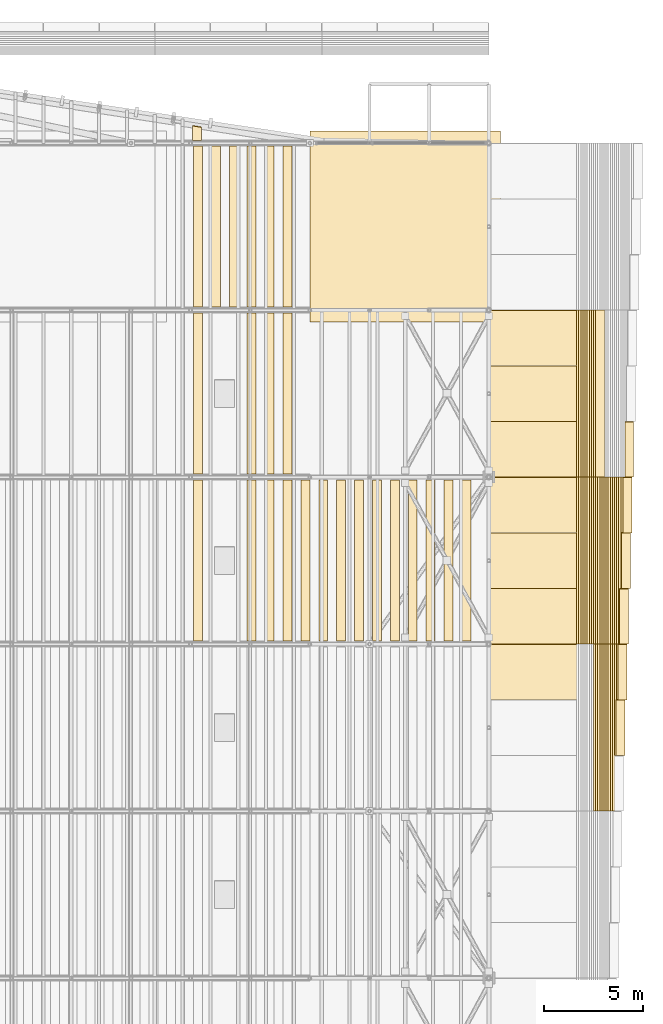
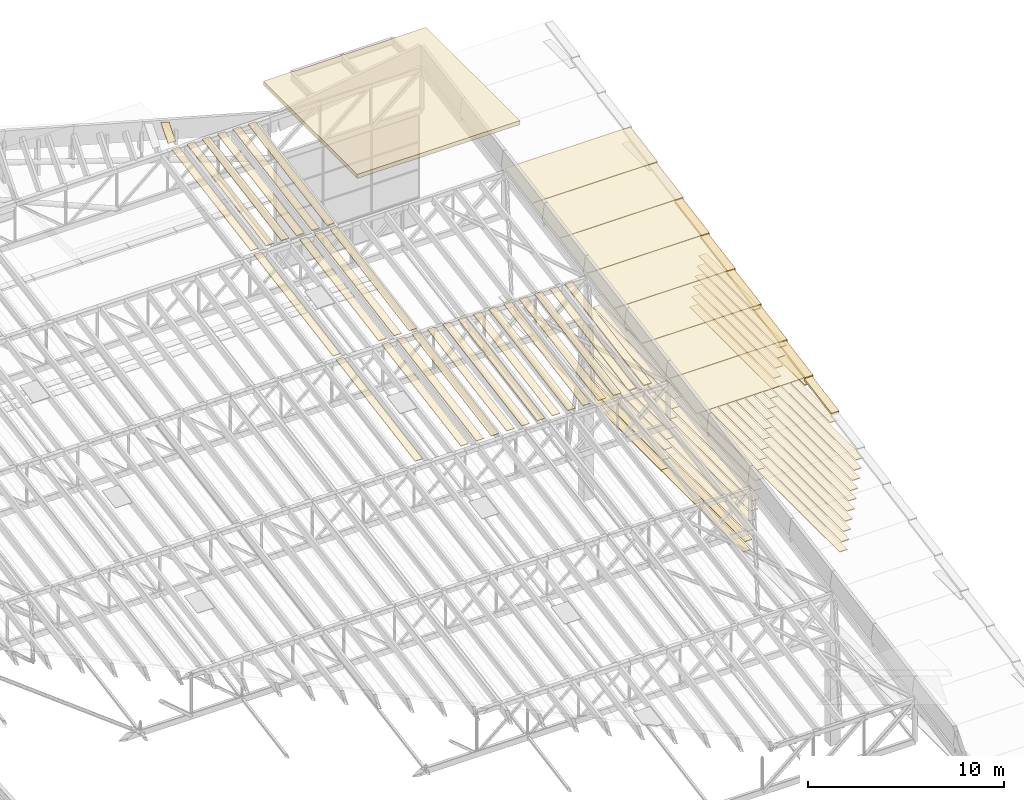
# One storey, part 89 of 91: 83 coverings.
"""IFC4 building model written with IfcOpenShell, lengths in metres."""

from ifc_helpers import new_model, si_unit, direction, frame, origin, origin_2d, place, context, subcontext, project, spatial, polyline, rectangle, outline, extrude, material, layer, layer_set, material_profile, profile_set, type_object, element, save


model = new_model("IFC4")

# Units and contexts
model_context = context("Model", 3, precision=1e-05, world=origin(), true_north=direction((0.0, 1.0)))
body_context = subcontext(model_context, "Body", "Model", "MODEL_VIEW")
ifc_project = project(units=[si_unit("LENGTHUNIT", "METRE"), si_unit("AREAUNIT", "SQUARE_METRE"), si_unit("VOLUMEUNIT", "CUBIC_METRE"), si_unit("PLANEANGLEUNIT", "RADIAN"), si_unit("MASSUNIT", "GRAM", prefix="KILO")], contexts=[model_context])

# Site, building, storey
site_placement = place(None, origin())
site = spatial("IfcSite", under=ifc_project, at=site_placement, CompositionType="ELEMENT")
building_placement = place(site_placement, origin())
building = spatial("IfcBuilding", under=site, at=building_placement, Name="Almond Square Museum", CompositionType="ELEMENT")
storey_placement = place(building_placement, frame((0.0, 0.0, 30.0)))
storey = spatial("IfcBuildingStorey", under=building, at=storey_placement, Name="L05", CompositionType="ELEMENT", Elevation=30.0)

# Coverings
ifc_material_1 = material(Name="Cedar timber roof board", Category="wood")
ifc_layer_1 = layer(ifc_material_1, 0.0400390625)
ifc_layer_set_1 = layer_set([ifc_layer_1], Name="Cedar timber roof board")
covering_type_1 = type_object("IfcCoveringType", Name="Hall roof board 450 x 40", PredefinedType="CLADDING", material=ifc_layer_set_1)
covering_1_placement = place(storey_placement, frame((134.39990234375, 92.25, 13.82373046875), z_axis=(0.0, -0.17237601069, 0.985031223332), x_axis=(-1.0, 0.0, 0.0)))
element("IfcCovering", 1, at=covering_1_placement, inside=storey, type_object=covering_type_1, Name="Hall roof board", PredefinedType="CLADDING", context=body_context, shape_type="SweptSolid", body=[
    extrude(outline(polyline([(0.0, 0.0), (0.449951171875, 0.0), (0.449951171875, 8.223188731877341), (0.0, 8.223188731877341), (0.0, 0.0)])), origin(), (0.0, 0.0, 1.0), 0.0400390625),
])
covering_2_placement = place(storey_placement, frame((137.10009765625, 92.25, 13.82373046875), z_axis=(0.0, -0.17237601069, 0.985031223332), x_axis=(-1.0, 0.0, 0.0)))
element("IfcCovering", 2, at=covering_2_placement, inside=storey, type_object=covering_type_1, Name="Hall roof board", PredefinedType="CLADDING", context=body_context, shape_type="SweptSolid", body=[
    extrude(outline(polyline([(0.0, 0.0), (0.4501953125, 0.0), (0.4501953125, 8.223188731877341), (0.0, 8.223188731877341), (0.0, 0.0)])), origin(), (0.0, 0.0, 1.0), 0.0400390625),
])
for number, where, z_axis, x_axis, name in (
    (3, (138.0, 92.25, 13.82373046875), (0.0, -0.17237601069, 0.985031223332), (-1.0, 0.0, 0.0), "Hall roof board"),
    (4, (138.89990234375, 92.25, 13.82373046875), (0.0, -0.17237601069, 0.985031223332), (-1.0, 0.0, 0.0), "Hall roof board"),
    (5, (139.800048828125, 92.25, 13.82373046875), (0.0, -0.17237601069, 0.985031223332), (-1.0, 0.0, 0.0), "Hall roof board"),
    (6, (140.699951171875, 92.25, 13.82373046875), (0.0, -0.17237601069, 0.985031223332), (-1.0, 0.0, 0.0), "Hall roof board"),
):
    element("IfcCovering", number, at=place(storey_placement, frame(where, z_axis=z_axis, x_axis=x_axis)), inside=storey, type_object=covering_type_1, Name=name, PredefinedType="CLADDING", context=body_context, shape_type="SweptSolid", body=[
        extrude(outline(polyline([(0.0, 0.0), (0.449951171875, 0.0), (0.449951171875, 8.223188731877341), (0.0, 8.223188731877341), (0.0, 0.0)])), origin(), (0.0, 0.0, 1.0), 0.0400390625),
    ])
covering_3_placement = place(storey_placement, frame((141.60009765625, 92.25, 13.82373046875), z_axis=(0.0, -0.17237601069, 0.985031223332), x_axis=(-1.0, 0.0, 0.0)))
element("IfcCovering", 7, at=covering_3_placement, inside=storey, type_object=covering_type_1, Name="Hall roof board", PredefinedType="CLADDING", context=body_context, shape_type="SweptSolid", body=[
    extrude(outline(polyline([(0.0, 0.0), (0.4501953125, 0.0), (0.4501953125, 8.223188731877341), (0.0, 8.223188731877341), (0.0, 0.0)])), origin(), (0.0, 0.0, 1.0), 0.0400390625),
])
for number, where, z_axis, x_axis, name in (
    (8, (142.5, 92.25, 13.82373046875), (0.0, -0.17237601069, 0.985031223332), (-1.0, 0.0, 0.0), "Hall roof board"),
    (9, (143.39990234375, 92.25, 13.82373046875), (0.0, -0.17237601069, 0.985031223332), (-1.0, 0.0, 0.0), "Hall roof board"),
    (10, (144.300048828125, 92.25, 13.82373046875), (0.0, -0.17237601069, 0.985031223332), (-1.0, 0.0, 0.0), "Hall roof board"),
    (11, (145.199951171875, 92.25, 13.82373046875), (0.0, -0.17237601069, 0.985031223332), (-1.0, 0.0, 0.0), "Hall roof board"),
):
    element("IfcCovering", number, at=place(storey_placement, frame(where, z_axis=z_axis, x_axis=x_axis)), inside=storey, type_object=covering_type_1, Name=name, PredefinedType="CLADDING", context=body_context, shape_type="SweptSolid", body=[
        extrude(outline(polyline([(0.0, 0.0), (0.449951171875, 0.0), (0.449951171875, 8.223188731877341), (0.0, 8.223188731877341), (0.0, 0.0)])), origin(), (0.0, 0.0, 1.0), 0.0400390625),
    ])
covering_4_placement = place(storey_placement, frame((146.10009765625, 92.25, 13.82373046875), z_axis=(0.0, -0.17237601069, 0.985031223332), x_axis=(-1.0, 0.0, 0.0)))
element("IfcCovering", 12, at=covering_4_placement, inside=storey, type_object=covering_type_1, Name="Hall roof board", PredefinedType="CLADDING", context=body_context, shape_type="SweptSolid", body=[
    extrude(outline(polyline([(0.0, 0.0), (0.4501953125, 0.0), (0.4501953125, 8.223188731877341), (0.0, 8.223188731877341), (0.0, 0.0)])), origin(), (0.0, 0.0, 1.0), 0.0400390625),
])
for number, where, z_axis, x_axis, name in (
    (13, (147.0, 92.25, 13.82373046875), (0.0, -0.17237601069, 0.985031223332), (-1.0, 0.0, 0.0), "Hall roof board"),
    (14, (147.89990234375, 92.25, 13.82373046875), (0.0, -0.17237601069, 0.985031223332), (-1.0, 0.0, 0.0), "Hall roof board"),
):
    element("IfcCovering", number, at=place(storey_placement, frame(where, z_axis=z_axis, x_axis=x_axis)), inside=storey, type_object=covering_type_1, Name=name, PredefinedType="CLADDING", context=body_context, shape_type="SweptSolid", body=[
        extrude(outline(polyline([(0.0, 0.0), (0.449951171875, 0.0), (0.449951171875, 8.223188731877341), (0.0, 8.223188731877341), (0.0, 0.0)])), origin(), (0.0, 0.0, 1.0), 0.0400390625),
    ])
covering_5_placement = place(storey_placement, frame((134.39990234375, 100.64990234375, 15.293701171875), z_axis=(0.0, -0.17238105195, 0.985030341121), x_axis=(-1.0, 0.0, 0.0)))
element("IfcCovering", 15, at=covering_5_placement, inside=storey, type_object=covering_type_1, Name="Hall roof board", PredefinedType="CLADDING", context=body_context, shape_type="SweptSolid", body=[
    extrude(outline(polyline([(0.0, 0.0), (0.449951171875, 0.0), (0.449951171875, 8.22294824584652), (0.0, 8.22294824584652), (0.0, 0.0)])), origin(), (0.0, 0.0, 1.0), 0.0400390625),
])
covering_6_placement = place(storey_placement, frame((137.10009765625, 100.64990234375, 15.293701171875), z_axis=(0.0, -0.17238105195, 0.985030341121), x_axis=(-1.0, 0.0, 0.0)))
element("IfcCovering", 16, at=covering_6_placement, inside=storey, type_object=covering_type_1, Name="Hall roof board", PredefinedType="CLADDING", context=body_context, shape_type="SweptSolid", body=[
    extrude(outline(polyline([(0.0, 0.0), (0.4501953125, 0.0), (0.4501953125, 8.222948245846522), (0.0, 8.222948245846522), (0.0, 0.0)])), origin(), (0.0, 0.0, 1.0), 0.0400390625),
])
for number, where, z_axis, x_axis, name in (
    (17, (138.0, 100.64990234375, 15.293701171875), (0.0, -0.17238105195, 0.985030341121), (-1.0, 0.0, 0.0), "Hall roof board"),
    (18, (138.89990234375, 100.64990234375, 15.293701171875), (0.0, -0.17238105195, 0.985030341121), (-1.0, 0.0, 0.0), "Hall roof board"),
):
    element("IfcCovering", number, at=place(storey_placement, frame(where, z_axis=z_axis, x_axis=x_axis)), inside=storey, type_object=covering_type_1, Name=name, PredefinedType="CLADDING", context=body_context, shape_type="SweptSolid", body=[
        extrude(outline(polyline([(0.0, 0.0), (0.449951171875, 0.0), (0.449951171875, 8.22294824584652), (0.0, 8.22294824584652), (0.0, 0.0)])), origin(), (0.0, 0.0, 1.0), 0.0400390625),
    ])
for number, where, z_axis, x_axis, name in (
    (19, (134.39990234375, 109.050048828125, 16.763916015625), (0.0, -0.172404817585, 0.985026181821), (-1.0, 0.0, 0.0), "Hall roof board"),
    (20, (135.300048828125, 109.050048828125, 16.763916015625), (0.0, -0.172404817585, 0.985026181821), (-1.0, 0.0, 0.0), "Hall roof board"),
    (21, (136.199951171875, 109.050048828125, 16.763916015625), (0.0, -0.172404817585, 0.985026181821), (-1.0, 0.0, 0.0), "Hall roof board"),
):
    element("IfcCovering", number, at=place(storey_placement, frame(where, z_axis=z_axis, x_axis=x_axis)), inside=storey, type_object=covering_type_1, Name=name, PredefinedType="CLADDING", context=body_context, shape_type="SweptSolid", body=[
        extrude(outline(polyline([(0.0, 0.0), (0.449951171875, 0.0), (0.449951171875, 8.2232308193808), (0.0, 8.2232308193808), (0.0, 0.0)])), origin(), (0.0, 0.0, 1.0), 0.0400390625),
    ])
covering_7_placement = place(storey_placement, frame((137.10009765625, 109.050048828125, 16.763916015625), z_axis=(0.0, -0.172404817585, 0.985026181821), x_axis=(-1.0, 0.0, 0.0)))
element("IfcCovering", 22, at=covering_7_placement, inside=storey, type_object=covering_type_1, Name="Hall roof board", PredefinedType="CLADDING", context=body_context, shape_type="SweptSolid", body=[
    extrude(outline(polyline([(0.0, 0.0), (0.4501953125, 0.0), (0.4501953125, 8.2232308193808), (0.0, 8.2232308193808), (0.0, 0.0)])), origin(), (0.0, 0.0, 1.0), 0.0400390625),
])
for number, where, z_axis, x_axis, name in (
    (23, (138.0, 109.050048828125, 16.763916015625), (0.0, -0.172404817585, 0.985026181821), (-1.0, 0.0, 0.0), "Hall roof board"),
    (24, (138.89990234375, 109.050048828125, 16.763916015625), (0.0, -0.172404817585, 0.985026181821), (-1.0, 0.0, 0.0), "Hall roof board"),
):
    element("IfcCovering", number, at=place(storey_placement, frame(where, z_axis=z_axis, x_axis=x_axis)), inside=storey, type_object=covering_type_1, Name=name, PredefinedType="CLADDING", context=body_context, shape_type="SweptSolid", body=[
        extrude(outline(polyline([(0.0, 0.0), (0.449951171875, 0.0), (0.449951171875, 8.2232308193808), (0.0, 8.2232308193808), (0.0, 0.0)])), origin(), (0.0, 0.0, 1.0), 0.0400390625),
    ])
covering_8_placement = place(storey_placement, frame((134.354736328125, 110.017822265625, 17.7646484375), z_axis=(2.9937994e-05, -0.766106557646, 0.642713576515), x_axis=(-0.970151313685, 0.155836026782, 0.185799788246)))
element("IfcCovering", 25, at=covering_8_placement, inside=storey, type_object=covering_type_1, Name="Hall roof board", PredefinedType="CLADDING", context=body_context, shape_type="SweptSolid", body=[
    extrude(outline(polyline([(0.0, 0.0), (0.4637948389403283, 2.7755575615628914e-17), (0.18458740922667144, 1.1170022480758974), (-0.2519333112619664, 1.007888924075992), (0.0, 0.0)])), origin(), (0.0, 0.0, 1.0), 0.0400390625),
])
ifc_material_2 = material(Name="Timber deck and zinc standing seam", Category="wood")
ifc_layer_2 = layer(ifc_material_2, 0.25)
ifc_layer_set_2 = layer_set([ifc_layer_2], Name="Timber deck and zinc standing seam")
covering_type_2 = type_object("IfcCoveringType", Name="Head house cap, timber and zinc", PredefinedType="CLADDING", material=ifc_layer_set_2)
covering_9_placement = place(storey_placement, frame((144.60009765625, 105.0, 18.2900390625), z_axis=(0.0, 0.0, 1.0), x_axis=(1.0, 0.0, 0.0)))
element("IfcCovering", 26, at=covering_9_placement, inside=storey, type_object=covering_type_2, Name="Head house roof cap H3", PredefinedType="CLADDING", context=body_context, shape_type="SweptSolid", body=[
    extrude(rectangle(XDim=9.60009765625, YDim=9.60009765625, at=origin_2d()), origin(), (0.0, 0.0, 1.0), 0.25),
])
ifc_material_3 = material(Name="Cedar timber louvre board", Category="wood")
ifc_material_profile_1 = material_profile(ifc_material_3, rectangle(XDim=0.449951171875, YDim=0.050048828125, at=origin_2d()))
ifc_profile_set_1 = profile_set([ifc_material_profile_1], Name="Cedar timber louvre board")
covering_type_3 = type_object("IfcCoveringType", Name="Louvre board 450 x 50", PredefinedType="CLADDING", material=ifc_profile_set_1)
covering_10_placement = place(storey_placement, frame((153.444091796875, 84.0, 0.10009765625), z_axis=(0.0, 1.0, 0.0), x_axis=(-1.0, 0.0, 0.0)))
element("IfcCovering", 27, at=covering_10_placement, inside=storey, type_object=covering_type_3, Name="Louvre board E13.05", PredefinedType="CLADDING", context=body_context, shape_type="SweptSolid", body=[
    extrude(rectangle(XDim=0.449951171875, YDim=0.050048828125, at=origin_2d()), origin(), (0.0, 0.0, 1.0), 8.39990234375),
])
covering_11_placement = place(storey_placement, frame((153.444091796875, 92.39990234375, 0.10009765625), z_axis=(0.0, 1.0, 0.0), x_axis=(-1.0, 0.0, 0.0)))
element("IfcCovering", 28, at=covering_11_placement, inside=storey, type_object=covering_type_3, Name="Louvre board E13.06", PredefinedType="CLADDING", context=body_context, shape_type="SweptSolid", body=[
    extrude(rectangle(XDim=0.449951171875, YDim=0.050048828125, at=origin_2d()), origin(), (0.0, 0.0, 1.0), 8.400146484375),
])
covering_12_placement = place(storey_placement, frame((153.5498046875, 84.0, 0.699951171875), z_axis=(0.0, 1.0, 0.0), x_axis=(-1.0, 0.0, 0.0)))
element("IfcCovering", 29, at=covering_12_placement, inside=storey, type_object=covering_type_3, Name="Louvre board E14.05", PredefinedType="CLADDING", context=body_context, shape_type="SweptSolid", body=[
    extrude(rectangle(XDim=0.449951171875, YDim=0.050048828125, at=origin_2d()), origin(), (0.0, 0.0, 1.0), 8.39990234375),
])
covering_13_placement = place(storey_placement, frame((153.5498046875, 92.39990234375, 0.699951171875), z_axis=(0.0, 1.0, 0.0), x_axis=(-1.0, 0.0, 0.0)))
element("IfcCovering", 30, at=covering_13_placement, inside=storey, type_object=covering_type_3, Name="Louvre board E14.06", PredefinedType="CLADDING", context=body_context, shape_type="SweptSolid", body=[
    extrude(rectangle(XDim=0.449951171875, YDim=0.050048828125, at=origin_2d()), origin(), (0.0, 0.0, 1.0), 8.400146484375),
])
covering_14_placement = place(storey_placement, frame((153.65576171875, 84.0, 1.300048828125), z_axis=(0.0, 1.0, 0.0), x_axis=(-1.0, 0.0, 0.0)))
element("IfcCovering", 31, at=covering_14_placement, inside=storey, type_object=covering_type_3, Name="Louvre board E15.05", PredefinedType="CLADDING", context=body_context, shape_type="SweptSolid", body=[
    extrude(rectangle(XDim=0.449951171875, YDim=0.050048828125, at=origin_2d()), origin(), (0.0, 0.0, 1.0), 8.39990234375),
])
covering_15_placement = place(storey_placement, frame((153.65576171875, 92.39990234375, 1.300048828125), z_axis=(0.0, 1.0, 0.0), x_axis=(-1.0, 0.0, 0.0)))
element("IfcCovering", 32, at=covering_15_placement, inside=storey, type_object=covering_type_3, Name="Louvre board E15.06", PredefinedType="CLADDING", context=body_context, shape_type="SweptSolid", body=[
    extrude(rectangle(XDim=0.449951171875, YDim=0.050048828125, at=origin_2d()), origin(), (0.0, 0.0, 1.0), 8.400146484375),
])
covering_16_placement = place(storey_placement, frame((153.761474609375, 84.0, 1.89990234375), z_axis=(0.0, 1.0, 0.0), x_axis=(-1.0, 0.0, 0.0)))
element("IfcCovering", 33, at=covering_16_placement, inside=storey, type_object=covering_type_3, Name="Louvre board E16.05", PredefinedType="CLADDING", context=body_context, shape_type="SweptSolid", body=[
    extrude(rectangle(XDim=0.449951171875, YDim=0.050048828125, at=origin_2d()), origin(), (0.0, 0.0, 1.0), 8.39990234375),
])
covering_17_placement = place(storey_placement, frame((153.761474609375, 92.39990234375, 1.89990234375), z_axis=(0.0, 1.0, 0.0), x_axis=(-1.0, 0.0, 0.0)))
element("IfcCovering", 34, at=covering_17_placement, inside=storey, type_object=covering_type_3, Name="Louvre board E16.06", PredefinedType="CLADDING", context=body_context, shape_type="SweptSolid", body=[
    extrude(rectangle(XDim=0.449951171875, YDim=0.050048828125, at=origin_2d()), origin(), (0.0, 0.0, 1.0), 8.400146484375),
])
covering_18_placement = place(storey_placement, frame((153.8671875, 84.0, 2.5), z_axis=(0.0, 1.0, 0.0), x_axis=(-1.0, 0.0, 0.0)))
element("IfcCovering", 35, at=covering_18_placement, inside=storey, type_object=covering_type_3, Name="Louvre board E17.05", PredefinedType="CLADDING", context=body_context, shape_type="SweptSolid", body=[
    extrude(rectangle(XDim=0.449951171875, YDim=0.050048828125, at=origin_2d()), origin(), (0.0, 0.0, 1.0), 8.39990234375),
])
covering_19_placement = place(storey_placement, frame((153.8671875, 92.39990234375, 2.5), z_axis=(0.0, 1.0, 0.0), x_axis=(-1.0, 0.0, 0.0)))
element("IfcCovering", 36, at=covering_19_placement, inside=storey, type_object=covering_type_3, Name="Louvre board E17.06", PredefinedType="CLADDING", context=body_context, shape_type="SweptSolid", body=[
    extrude(rectangle(XDim=0.449951171875, YDim=0.050048828125, at=origin_2d()), origin(), (0.0, 0.0, 1.0), 8.400146484375),
])
covering_20_placement = place(storey_placement, frame((153.97314453125, 84.0, 3.10009765625), z_axis=(0.0, 1.0, 0.0), x_axis=(-1.0, 0.0, 0.0)))
element("IfcCovering", 37, at=covering_20_placement, inside=storey, type_object=covering_type_3, Name="Louvre board E18.05", PredefinedType="CLADDING", context=body_context, shape_type="SweptSolid", body=[
    extrude(rectangle(XDim=0.449951171875, YDim=0.050048828125, at=origin_2d()), origin(), (0.0, 0.0, 1.0), 8.39990234375),
])
covering_21_placement = place(storey_placement, frame((153.97314453125, 92.39990234375, 3.10009765625), z_axis=(0.0, 1.0, 0.0), x_axis=(-1.0, 0.0, 0.0)))
element("IfcCovering", 38, at=covering_21_placement, inside=storey, type_object=covering_type_3, Name="Louvre board E18.06", PredefinedType="CLADDING", context=body_context, shape_type="SweptSolid", body=[
    extrude(rectangle(XDim=0.449951171875, YDim=0.050048828125, at=origin_2d()), origin(), (0.0, 0.0, 1.0), 8.400146484375),
])
covering_22_placement = place(storey_placement, frame((154.078857421875, 84.0, 3.699951171875), z_axis=(0.0, 1.0, 0.0), x_axis=(-1.0, 0.0, 0.0)))
element("IfcCovering", 39, at=covering_22_placement, inside=storey, type_object=covering_type_3, Name="Louvre board E19.05", PredefinedType="CLADDING", context=body_context, shape_type="SweptSolid", body=[
    extrude(rectangle(XDim=0.449951171875, YDim=0.050048828125, at=origin_2d()), origin(), (0.0, 0.0, 1.0), 8.39990234375),
])
covering_23_placement = place(storey_placement, frame((154.078857421875, 92.39990234375, 3.699951171875), z_axis=(0.0, 1.0, 0.0), x_axis=(-1.0, 0.0, 0.0)))
element("IfcCovering", 40, at=covering_23_placement, inside=storey, type_object=covering_type_3, Name="Louvre board E19.06", PredefinedType="CLADDING", context=body_context, shape_type="SweptSolid", body=[
    extrude(rectangle(XDim=0.449951171875, YDim=0.050048828125, at=origin_2d()), origin(), (0.0, 0.0, 1.0), 8.400146484375),
])
covering_24_placement = place(storey_placement, frame((154.1845703125, 84.0, 4.300048828125), z_axis=(0.0, 1.0, 0.0), x_axis=(-1.0, 0.0, 0.0)))
element("IfcCovering", 41, at=covering_24_placement, inside=storey, type_object=covering_type_3, Name="Louvre board E20.05", PredefinedType="CLADDING", context=body_context, shape_type="SweptSolid", body=[
    extrude(rectangle(XDim=0.449951171875, YDim=0.050048828125, at=origin_2d()), origin(), (0.0, 0.0, 1.0), 8.39990234375),
])
covering_25_placement = place(storey_placement, frame((154.1845703125, 92.39990234375, 4.300048828125), z_axis=(0.0, 1.0, 0.0), x_axis=(-1.0, 0.0, 0.0)))
element("IfcCovering", 42, at=covering_25_placement, inside=storey, type_object=covering_type_3, Name="Louvre board E20.06", PredefinedType="CLADDING", context=body_context, shape_type="SweptSolid", body=[
    extrude(rectangle(XDim=0.449951171875, YDim=0.050048828125, at=origin_2d()), origin(), (0.0, 0.0, 1.0), 8.400146484375),
])
for number, where, z_axis, x_axis, name in (
    (43, (154.29052734375, 75.60009765625, 4.89990234375), (0.0, 1.0, 0.0), (-1.0, 0.0, 0.0), "Louvre board E21.04"),
    (44, (154.29052734375, 84.0, 4.89990234375), (0.0, 1.0, 0.0), (-1.0, 0.0, 0.0), "Louvre board E21.05"),
):
    element("IfcCovering", number, at=place(storey_placement, frame(where, z_axis=z_axis, x_axis=x_axis)), inside=storey, type_object=covering_type_3, Name=name, PredefinedType="CLADDING", context=body_context, shape_type="SweptSolid", body=[
        extrude(rectangle(XDim=0.449951171875, YDim=0.050048828125, at=origin_2d()), origin(), (0.0, 0.0, 1.0), 8.39990234375),
    ])
covering_26_placement = place(storey_placement, frame((154.29052734375, 92.39990234375, 4.89990234375), z_axis=(0.0, 1.0, 0.0), x_axis=(-1.0, 0.0, 0.0)))
element("IfcCovering", 45, at=covering_26_placement, inside=storey, type_object=covering_type_3, Name="Louvre board E21.06", PredefinedType="CLADDING", context=body_context, shape_type="SweptSolid", body=[
    extrude(rectangle(XDim=0.449951171875, YDim=0.050048828125, at=origin_2d()), origin(), (0.0, 0.0, 1.0), 8.400146484375),
])
for number, where, z_axis, x_axis, name in (
    (46, (154.396240234375, 75.60009765625, 5.5), (0.0, 1.0, 0.0), (-1.0, 0.0, 0.0), "Louvre board E22.04"),
    (47, (154.396240234375, 84.0, 5.5), (0.0, 1.0, 0.0), (-1.0, 0.0, 0.0), "Louvre board E22.05"),
):
    element("IfcCovering", number, at=place(storey_placement, frame(where, z_axis=z_axis, x_axis=x_axis)), inside=storey, type_object=covering_type_3, Name=name, PredefinedType="CLADDING", context=body_context, shape_type="SweptSolid", body=[
        extrude(rectangle(XDim=0.449951171875, YDim=0.050048828125, at=origin_2d()), origin(), (0.0, 0.0, 1.0), 8.39990234375),
    ])
covering_27_placement = place(storey_placement, frame((154.396240234375, 92.39990234375, 5.5), z_axis=(0.0, 1.0, 0.0), x_axis=(-1.0, 0.0, 0.0)))
element("IfcCovering", 48, at=covering_27_placement, inside=storey, type_object=covering_type_3, Name="Louvre board E22.06", PredefinedType="CLADDING", context=body_context, shape_type="SweptSolid", body=[
    extrude(rectangle(XDim=0.449951171875, YDim=0.050048828125, at=origin_2d()), origin(), (0.0, 0.0, 1.0), 8.400146484375),
])
for number, where, z_axis, x_axis, name in (
    (49, (154.501953125, 75.60009765625, 6.10009765625), (0.0, 1.0, 0.0), (-1.0, 0.0, 0.0), "Louvre board E23.04"),
    (50, (154.501953125, 84.0, 6.10009765625), (0.0, 1.0, 0.0), (-1.0, 0.0, 0.0), "Louvre board E23.05"),
    (51, (154.60791015625, 75.60009765625, 6.699951171875), (0.0, 1.0, 0.0), (-1.0, 0.0, 0.0), "Louvre board E24.04"),
    (52, (154.60791015625, 84.0, 6.699951171875), (0.0, 1.0, 0.0), (-1.0, 0.0, 0.0), "Louvre board E24.05"),
    (53, (154.713623046875, 75.60009765625, 7.300048828125), (0.0, 1.0, 0.0), (-1.0, 0.0, 0.0), "Louvre board E25.04"),
    (54, (154.713623046875, 84.0, 7.300048828125), (0.0, 1.0, 0.0), (-1.0, 0.0, 0.0), "Louvre board E25.05"),
    (55, (154.8193359375, 75.60009765625, 7.89990234375), (0.0, 1.0, 0.0), (-1.0, 0.0, 0.0), "Louvre board E26.03"),
    (56, (154.8193359375, 84.0, 7.89990234375), (0.0, 1.0, 0.0), (-1.0, 0.0, 0.0), "Louvre board E26.04"),
    (57, (154.92529296875, 75.60009765625, 8.5), (0.0, 1.0, 0.0), (-1.0, 0.0, 0.0), "Louvre board E27.03"),
    (58, (154.92529296875, 84.0, 8.5), (0.0, 1.0, 0.0), (-1.0, 0.0, 0.0), "Louvre board E27.04"),
    (59, (155.031005859375, 75.60009765625, 9.10009765625), (0.0, 1.0, 0.0), (-1.0, 0.0, 0.0), "Louvre board E28.02"),
    (60, (155.031005859375, 84.0, 9.10009765625), (0.0, 1.0, 0.0), (-1.0, 0.0, 0.0), "Louvre board E28.03"),
    (61, (155.13671875, 75.60009765625, 9.699951171875), (0.0, 1.0, 0.0), (-1.0, 0.0, 0.0), "Louvre board E29.02"),
    (62, (155.13671875, 84.0, 9.699951171875), (0.0, 1.0, 0.0), (-1.0, 0.0, 0.0), "Louvre board E29.03"),
    (63, (155.24267578125, 75.60009765625, 10.300048828125), (0.0, 1.0, 0.0), (-1.0, 0.0, 0.0), "Louvre board E30.01"),
    (64, (155.24267578125, 84.0, 10.300048828125), (0.0, 1.0, 0.0), (-1.0, 0.0, 0.0), "Louvre board E30.02"),
):
    element("IfcCovering", number, at=place(storey_placement, frame(where, z_axis=z_axis, x_axis=x_axis)), inside=storey, type_object=covering_type_3, Name=name, PredefinedType="CLADDING", context=body_context, shape_type="SweptSolid", body=[
        extrude(rectangle(XDim=0.449951171875, YDim=0.050048828125, at=origin_2d()), origin(), (0.0, 0.0, 1.0), 8.39990234375),
    ])
covering_28_placement = place(storey_placement, frame((155.348388671875, 78.39990234375, 10.89990234375), z_axis=(0.0, 1.0, 0.0), x_axis=(-1.0, 0.0, 0.0)))
element("IfcCovering", 65, at=covering_28_placement, inside=storey, type_object=covering_type_3, Name="Louvre board E31.01", PredefinedType="CLADDING", context=body_context, shape_type="SweptSolid", body=[
    extrude(rectangle(XDim=0.449951171875, YDim=0.050048828125, at=origin_2d()), origin(), (0.0, 0.0, 1.0), 5.60009765625),
])
covering_29_placement = place(storey_placement, frame((155.348388671875, 84.0, 10.89990234375), z_axis=(0.0, 1.0, 0.0), x_axis=(-1.0, 0.0, 0.0)))
element("IfcCovering", 66, at=covering_29_placement, inside=storey, type_object=covering_type_3, Name="Louvre board E31.02", PredefinedType="CLADDING", context=body_context, shape_type="SweptSolid", body=[
    extrude(rectangle(XDim=0.449951171875, YDim=0.050048828125, at=origin_2d()), origin(), (0.0, 0.0, 1.0), 8.39990234375),
])
covering_30_placement = place(storey_placement, frame((155.4541015625, 81.199951171875, 11.5), z_axis=(0.0, 1.0, 0.0), x_axis=(-1.0, 0.0, 0.0)))
element("IfcCovering", 67, at=covering_30_placement, inside=storey, type_object=covering_type_3, Name="Louvre board E32.01", PredefinedType="CLADDING", context=body_context, shape_type="SweptSolid", body=[
    extrude(rectangle(XDim=0.449951171875, YDim=0.050048828125, at=origin_2d()), origin(), (0.0, 0.0, 1.0), 2.800048828125),
])
for number, where, z_axis, x_axis, name in (
    (68, (155.4541015625, 84.0, 11.5), (0.0, 1.0, 0.0), (-1.0, 0.0, 0.0), "Louvre board E32.02"),
    (69, (155.56005859375, 84.0, 12.10009765625), (0.0, 1.0, 0.0), (-1.0, 0.0, 0.0), "Louvre board E33.01"),
):
    element("IfcCovering", number, at=place(storey_placement, frame(where, z_axis=z_axis, x_axis=x_axis)), inside=storey, type_object=covering_type_3, Name=name, PredefinedType="CLADDING", context=body_context, shape_type="SweptSolid", body=[
        extrude(rectangle(XDim=0.449951171875, YDim=0.050048828125, at=origin_2d()), origin(), (0.0, 0.0, 1.0), 8.39990234375),
    ])
covering_31_placement = place(storey_placement, frame((155.665771484375, 86.800048828125, 12.699951171875), z_axis=(0.0, 1.0, 0.0), x_axis=(-1.0, 0.0, 0.0)))
element("IfcCovering", 70, at=covering_31_placement, inside=storey, type_object=covering_type_3, Name="Louvre board E34.01", PredefinedType="CLADDING", context=body_context, shape_type="SweptSolid", body=[
    extrude(rectangle(XDim=0.449951171875, YDim=0.050048828125, at=origin_2d()), origin(), (0.0, 0.0, 1.0), 5.599853515625),
])
ifc_material_4 = material(Name="Cedar timber sheathing panel", Category="wood")
ifc_layer_3 = layer(ifc_material_4, 0.030029296875)
ifc_layer_set_3 = layer_set([ifc_layer_3], Name="Cedar timber sheathing panel")
covering_type_4 = type_object("IfcCoveringType", Name="Louvre rain-screen backing panel 30", PredefinedType="CLADDING", material=ifc_layer_set_3)
covering_32_placement = place(storey_placement, frame((148.85009765625, 81.2099609375, 11.959716796875), z_axis=(0.0, -0.173074759692, 0.984908689959), x_axis=(1.0, 0.0, 0.0)))
element("IfcCovering", 71, at=covering_32_placement, inside=storey, type_object=covering_type_4, Name="Louvre rain-screen backing panel return E12", PredefinedType="CLADDING", context=body_context, shape_type="SweptSolid", body=[
    extrude(outline(polyline([(0.0, 0.0), (6.894287109375, 0.0), (6.894287109375, 2.822626427419791), (0.0, 2.822626427419791), (0.0, 0.0)])), frame((0.0, 0.0, -0.01513671875)), (0.0, 0.0, 1.0), 0.030029296875),
])
covering_33_placement = place(storey_placement, frame((148.85009765625, 84.010009765625, 12.44970703125), z_axis=(0.0, -0.173074759692, 0.984908689959), x_axis=(1.0, 0.0, 0.0)))
element("IfcCovering", 72, at=covering_33_placement, inside=storey, type_object=covering_type_4, Name="Louvre rain-screen backing panel return E13", PredefinedType="CLADDING", context=body_context, shape_type="SweptSolid", body=[
    extrude(outline(polyline([(0.0, 0.0), (6.980712890625, 0.0), (6.980712890625, 2.822626427419791), (0.0, 2.822626427419791), (0.0, 0.0)])), frame((0.0, 0.0, -0.01513671875)), (0.0, 0.0, 1.0), 0.030029296875),
])
covering_34_placement = place(storey_placement, frame((148.85009765625, 86.81005859375, 12.939697265625), z_axis=(0.0, -0.173074759692, 0.984908689959), x_axis=(1.0, 0.0, 0.0)))
element("IfcCovering", 73, at=covering_34_placement, inside=storey, type_object=covering_type_4, Name="Louvre rain-screen backing panel return E14", PredefinedType="CLADDING", context=body_context, shape_type="SweptSolid", body=[
    extrude(outline(polyline([(0.0, 0.0), (7.067138671875, 0.0), (7.067138671875, 2.822626427419791), (0.0, 2.822626427419791), (0.0, 0.0)])), frame((0.0, 0.0, -0.01513671875)), (0.0, 0.0, 1.0), 0.030029296875),
])
covering_35_placement = place(storey_placement, frame((148.85009765625, 89.610107421875, 13.4296875), z_axis=(0.0, -0.173089504963, 0.984906098708), x_axis=(1.0, 0.0, 0.0)))
element("IfcCovering", 74, at=covering_35_placement, inside=storey, type_object=covering_type_4, Name="Louvre rain-screen backing panel return E15", PredefinedType="CLADDING", context=body_context, shape_type="SweptSolid", body=[
    extrude(outline(polyline([(0.0, 0.0), (7.153564453125, 0.0), (7.153564453125, 2.8223859715129587), (0.0, 2.8223859715129587), (0.0, 0.0)])), frame((0.0, 0.0, -0.01513671875)), (0.0, 0.0, 1.0), 0.030029296875),
])
covering_36_placement = place(storey_placement, frame((148.85009765625, 92.409912109375, 13.919921875), z_axis=(0.0, -0.172990854596, 0.984923430641), x_axis=(1.0, 0.0, 0.0)))
element("IfcCovering", 75, at=covering_36_placement, inside=storey, type_object=covering_type_4, Name="Louvre rain-screen backing panel return E16", PredefinedType="CLADDING", context=body_context, shape_type="SweptSolid", body=[
    extrude(outline(polyline([(0.0, 0.0), (7.239990234375, 0.0), (7.239990234375, 2.822584183082033), (0.0, 2.822584183082033), (0.0, 0.0)])), frame((0.0, 0.0, -0.01513671875)), (0.0, 0.0, 1.0), 0.030029296875),
])
covering_37_placement = place(storey_placement, frame((148.85009765625, 95.2099609375, 14.409912109375), z_axis=(0.0, -0.172990854596, 0.984923430641), x_axis=(1.0, 0.0, 0.0)))
element("IfcCovering", 76, at=covering_37_placement, inside=storey, type_object=covering_type_4, Name="Louvre rain-screen backing panel return E17", PredefinedType="CLADDING", context=body_context, shape_type="SweptSolid", body=[
    extrude(outline(polyline([(0.0, 0.0), (7.326416015625, 0.0), (7.326416015625, 2.822584183082033), (0.0, 2.822584183082033), (0.0, 0.0)])), frame((0.0, 0.0, -0.01513671875)), (0.0, 0.0, 1.0), 0.030029296875),
])
covering_38_placement = place(storey_placement, frame((148.85009765625, 98.010009765625, 14.89990234375), z_axis=(0.0, -0.172990854596, 0.984923430641), x_axis=(1.0, 0.0, 0.0)))
element("IfcCovering", 77, at=covering_38_placement, inside=storey, type_object=covering_type_4, Name="Louvre rain-screen backing panel return E18", PredefinedType="CLADDING", context=body_context, shape_type="SweptSolid", body=[
    extrude(outline(polyline([(0.0, 0.0), (7.41259765625, 0.0), (7.41259765625, 2.822584183082033), (0.0, 2.822584183082033), (0.0, 0.0)])), frame((0.0, 0.0, -0.01513671875)), (0.0, 0.0, 1.0), 0.030029296875),
])
ifc_material_5 = material(Name="Cedar timber louvre board", Category="wood")
ifc_material_profile_2 = material_profile(ifc_material_5, rectangle(XDim=0.449951171875, YDim=0.139892578125, at=origin_2d()))
ifc_profile_set_2 = profile_set([ifc_material_profile_2], Name="Cedar timber louvre board")
covering_type_5 = type_object("IfcCoveringType", Name="Louvre skin fascia 450 x 140", PredefinedType="CLADDING", material=ifc_profile_set_2)
for number, where, z_axis, x_axis, name in (
    (78, (155.43310546875, 78.409912109375, 11.3798828125), (0.0, 0.984923430641, 0.172990854596), (-1.0, 0.0, 0.0), "Louvre skin fascia E11"),
    (79, (155.51953125, 81.2099609375, 11.869873046875), (0.0, 0.984923430641, 0.172990854596), (-1.0, 0.0, 0.0), "Louvre skin fascia E12"),
    (80, (155.605712890625, 84.010009765625, 12.35986328125), (0.0, 0.984923430641, 0.172990854596), (-1.0, 0.0, 0.0), "Louvre skin fascia E13"),
    (81, (155.692138671875, 86.81005859375, 12.849853515625), (0.0, 0.984923430641, 0.172990854596), (-1.0, 0.0, 0.0), "Louvre skin fascia E14"),
):
    element("IfcCovering", number, at=place(storey_placement, frame(where, z_axis=z_axis, x_axis=x_axis)), inside=storey, type_object=covering_type_5, Name=name, PredefinedType="CLADDING", context=body_context, shape_type="SweptSolid", body=[
        extrude(rectangle(XDim=0.449951171875, YDim=0.139892578125, at=origin_2d()), origin(), (0.0, 0.0, 1.0), 2.822509765625),
    ])
covering_39_placement = place(storey_placement, frame((155.778564453125, 89.610107421875, 13.33984375), z_axis=(0.0, 0.984906098708, 0.173089504963), x_axis=(-1.0, 0.0, 0.0)))
element("IfcCovering", 82, at=covering_39_placement, inside=storey, type_object=covering_type_5, Name="Louvre skin fascia E15", PredefinedType="CLADDING", context=body_context, shape_type="SweptSolid", body=[
    extrude(rectangle(XDim=0.449951171875, YDim=0.139892578125, at=origin_2d()), origin(), (0.0, 0.0, 1.0), 2.822265625),
])
covering_40_placement = place(storey_placement, frame((155.864990234375, 92.409912109375, 13.829833984375), z_axis=(0.0, 0.984908689959, 0.173074759692), x_axis=(-1.0, 0.0, 0.0)))
element("IfcCovering", 83, at=covering_40_placement, inside=storey, type_object=covering_type_5, Name="Louvre skin fascia E16", PredefinedType="CLADDING", context=body_context, shape_type="SweptSolid", body=[
    extrude(rectangle(XDim=0.449951171875, YDim=0.139892578125, at=origin_2d()), origin(), (0.0, 0.0, 1.0), 2.822509765625),
])

save(model, "model.ifc")
